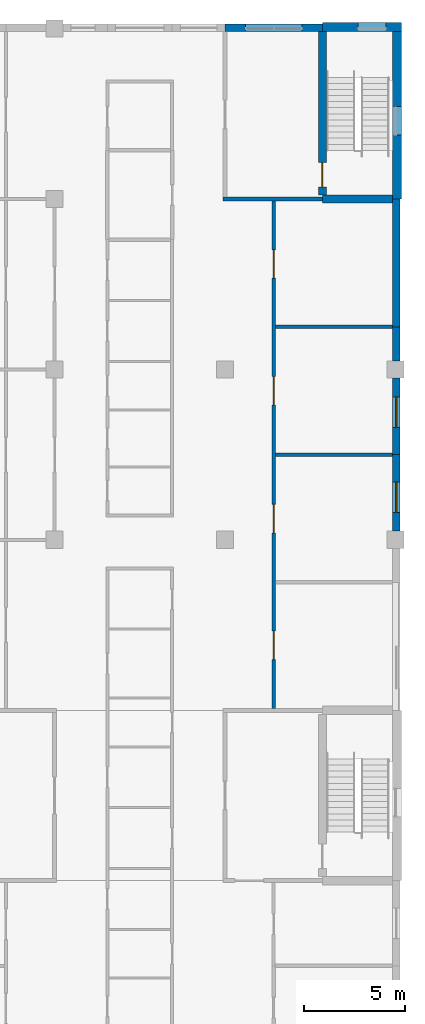
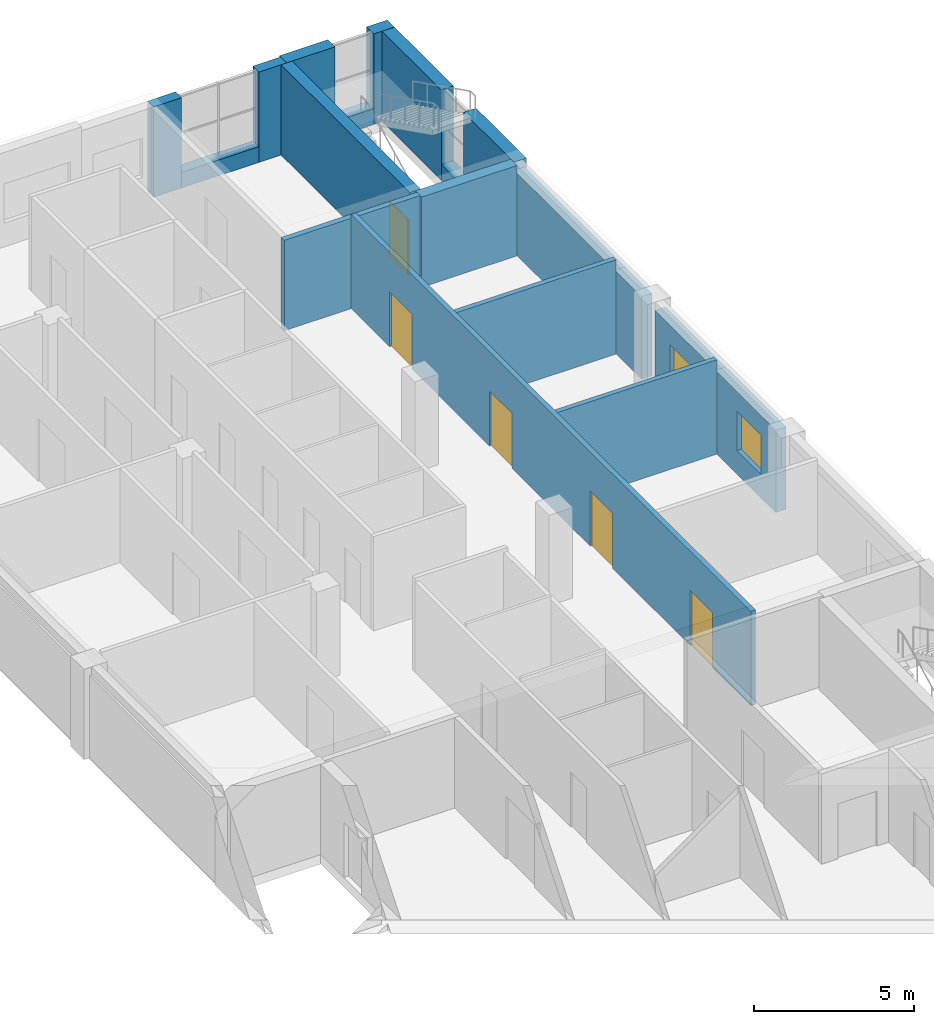
# One storey, part 78 of 94: 19 walls, 5 doors, 2 windows, 7 openings.
"""IFC4 building model written with IfcOpenShell, lengths in metres."""

from ifc_helpers import new_model, si_unit, direction, frame, frame_2d, origin, place, context, subcontext, project, spatial, rectangle, extrude, material, layer, layer_set, type_object, element, fill, save


model = new_model("IFC4")

# Units and contexts
model_context = context("Model", 3, precision=1e-05, world=origin(), true_north=direction((0.0, 1.0)))
body_context = subcontext(model_context, "Body", "Model", "MODEL_VIEW")
ifc_project = project(units=[si_unit("LENGTHUNIT", "METRE"), si_unit("AREAUNIT", "SQUARE_METRE"), si_unit("VOLUMEUNIT", "CUBIC_METRE"), si_unit("PLANEANGLEUNIT", "RADIAN"), si_unit("MASSUNIT", "GRAM", prefix="KILO")], contexts=[model_context])

# Site, building, storey
site_placement = place(None, origin())
site = spatial("IfcSite", under=ifc_project, at=site_placement, CompositionType="ELEMENT")
building_placement = place(site_placement, origin())
building = spatial("IfcBuilding", under=site, at=building_placement, Name="Yavir Park General Hospital", CompositionType="ELEMENT")
storey_placement = place(building_placement, frame((0.0, 0.0, 4.5)))
storey = spatial("IfcBuildingStorey", under=building, at=storey_placement, Name="L01", CompositionType="ELEMENT", Elevation=4.5)

# Walls
ifc_material_1 = material(Name="Double-leaf gypsum board acoustic partition on staggered studs")
ifc_layer_1 = layer(ifc_material_1, 0.175048828125)
ifc_layer_set_1 = layer_set([ifc_layer_1], Name="Double-leaf gypsum board acoustic partition on staggered studs")
wall_type_1 = type_object("IfcWallType", Name="Acoustic partition 175", PredefinedType="PARTITIONING", material=ifc_layer_set_1)
for number, where, z_axis, x_axis, name in (
    (1, (162.08740234375, 96.60009765625, 0.0), (0.0, 0.0, 1.0), (1.0, 0.0, 0.0), "AP175 L01-248"),
    (2, (162.08740234375, 102.89990234375, 0.0), (0.0, 0.0, 1.0), (1.0, 0.0, 0.0), "AP175 L01-257"),
):
    element("IfcWall", number, at=place(storey_placement, frame(where, z_axis=z_axis, x_axis=x_axis)), inside=storey, type_object=wall_type_1, Name=name, PredefinedType="PARTITIONING", context=body_context, shape_type="SweptSolid", body=[
        extrude(rectangle(XDim=5.7626953125, YDim=0.175048828125, at=frame_2d((2.88134765625, 0.0))), origin(), (0.0, 0.0, 1.0), 3.60009765625),
    ])

# Wall, openings, doors
wall_1_placement = place(storey_placement, frame((162.0, 84.10009765625, 0.0), z_axis=(0.0, 0.0, 1.0), x_axis=(0.0, 1.0, 0.0)))
wall_1 = element("IfcWall", 3, at=wall_1_placement, inside=storey, type_object=wall_type_1, Name="AP175 L01-505", PredefinedType="PARTITIONING", context=body_context, shape_type="SweptSolid", body=[
    extrude(rectangle(XDim=25.0, YDim=0.175048828125, at=frame_2d((12.5, 0.0))), origin(), (0.0, 0.0, 1.0), 3.60009765625),
])
opening_1_placement = place(wall_1_placement, frame((2.39990234375, 0.0, 0.0)))
opening_1 = element("IfcOpeningElement", 4, at=opening_1_placement, cuts=wall_1, Name="Opening L01.D304", PredefinedType="OPENING", context=body_context, shape_type="SweptSolid", body=[
    extrude(rectangle(XDim=1.39990234375, YDim=2.10009765625, at=frame_2d((0.699951171875, 1.050048828125))), frame((0.0, 0.097412109375, 0.0), z_axis=(0.0, -1.0, 0.0), x_axis=(1.0, 0.0, 0.0)), (0.0, 0.0, 1.0), 0.195068359375),
])
opening_2_placement = place(wall_1_placement, frame((8.64990234375, 0.0, 0.0)))
opening_2 = element("IfcOpeningElement", 5, at=opening_2_placement, cuts=wall_1, Name="Opening L01.D305", PredefinedType="OPENING", context=body_context, shape_type="SweptSolid", body=[
    extrude(rectangle(XDim=1.39990234375, YDim=2.10009765625, at=frame_2d((0.699951171875, 1.050048828125))), frame((0.0, 0.097412109375, 0.0), z_axis=(0.0, -1.0, 0.0), x_axis=(1.0, 0.0, 0.0)), (0.0, 0.0, 1.0), 0.195068359375),
])
opening_3_placement = place(wall_1_placement, frame((14.949951171875, 0.0, 0.0)))
opening_3 = element("IfcOpeningElement", 6, at=opening_3_placement, cuts=wall_1, Name="Opening L01.D306", PredefinedType="OPENING", context=body_context, shape_type="SweptSolid", body=[
    extrude(rectangle(XDim=1.39990234375, YDim=2.10009765625, at=frame_2d((0.699951171875, 1.050048828125))), frame((0.0, 0.097412109375, 0.0), z_axis=(0.0, -1.0, 0.0), x_axis=(1.0, 0.0, 0.0)), (0.0, 0.0, 1.0), 0.195068359375),
])
opening_4_placement = place(wall_1_placement, frame((21.199951171875, 0.0, 0.0)))
opening_4 = element("IfcOpeningElement", 7, at=opening_4_placement, cuts=wall_1, Name="Opening L01.D307", PredefinedType="OPENING", context=body_context, shape_type="SweptSolid", body=[
    extrude(rectangle(XDim=1.39990234375, YDim=2.10009765625, at=frame_2d((0.699951171875, 1.050048828125))), frame((0.0, 0.097412109375, 0.0), z_axis=(0.0, -1.0, 0.0), x_axis=(1.0, 0.0, 0.0)), (0.0, 0.0, 1.0), 0.195068359375),
])
ifc_material_2 = material(Name="Hollow metal frame, solid-core timber leaf", Category="wood")
door_type_1 = type_object("IfcDoorType", Name="Double swing door 1400 x 2100", OperationType="DOUBLE_DOOR_SINGLE_SWING", PredefinedType="DOOR", material=ifc_material_2)
door_1_placement = place(opening_1_placement, origin())
door_1 = element("IfcDoor", 8, at=door_1_placement, inside=storey, type_object=door_type_1, Name="L01.D304", OperationType="SINGLE_SWING_RIGHT", OverallHeight=2.10009765625, OverallWidth=1.39990234375, PredefinedType="DOOR", context=body_context, shape_type="SweptSolid", body=[
    extrude(rectangle(XDim=1.39990234375, YDim=2.10009765625, at=frame_2d((0.699951171875, 1.050048828125))), frame((0.0, 0.02490234375, 0.0), z_axis=(0.0, -1.0, 0.0), x_axis=(1.0, 0.0, 0.0)), (0.0, 0.0, 1.0), 0.050048828125),
])
fill(opening_1, door_1)
door_2_placement = place(opening_2_placement, origin())
door_2 = element("IfcDoor", 9, at=door_2_placement, inside=storey, type_object=door_type_1, Name="L01.D305", OperationType="SINGLE_SWING_RIGHT", OverallHeight=2.10009765625, OverallWidth=1.39990234375, PredefinedType="DOOR", context=body_context, shape_type="SweptSolid", body=[
    extrude(rectangle(XDim=1.39990234375, YDim=2.10009765625, at=frame_2d((0.699951171875, 1.050048828125))), frame((0.0, 0.02490234375, 0.0), z_axis=(0.0, -1.0, 0.0), x_axis=(1.0, 0.0, 0.0)), (0.0, 0.0, 1.0), 0.050048828125),
])
fill(opening_2, door_2)
door_3_placement = place(opening_3_placement, origin())
door_3 = element("IfcDoor", 10, at=door_3_placement, inside=storey, type_object=door_type_1, Name="L01.D306", OperationType="SINGLE_SWING_RIGHT", OverallHeight=2.10009765625, OverallWidth=1.39990234375, PredefinedType="DOOR", context=body_context, shape_type="SweptSolid", body=[
    extrude(rectangle(XDim=1.39990234375, YDim=2.10009765625, at=frame_2d((0.699951171875, 1.050048828125))), frame((0.0, 0.02490234375, 0.0), z_axis=(0.0, -1.0, 0.0), x_axis=(1.0, 0.0, 0.0)), (0.0, 0.0, 1.0), 0.050048828125),
])
fill(opening_3, door_3)
door_4_placement = place(opening_4_placement, origin())
door_4 = element("IfcDoor", 11, at=door_4_placement, inside=storey, type_object=door_type_1, Name="L01.D307", OperationType="SINGLE_SWING_LEFT", OverallHeight=2.10009765625, OverallWidth=1.39990234375, PredefinedType="DOOR", context=body_context, shape_type="SweptSolid", body=[
    extrude(rectangle(XDim=1.39990234375, YDim=2.10009765625, at=frame_2d((0.699951171875, 1.050048828125))), frame((0.0, 0.02490234375, 0.0), z_axis=(0.0, -1.0, 0.0), x_axis=(1.0, 0.0, 0.0)), (0.0, 0.0, 1.0), 0.050048828125),
])
fill(opening_4, door_4)

# Walls
ifc_material_3 = material(Name="Double gypsum board fire partition on steel studs", Category="steel")
ifc_layer_2 = layer(ifc_material_3, 0.199951171875)
ifc_layer_set_2 = layer_set([ifc_layer_2], Name="Double gypsum board fire partition on steel studs")
wall_type_2 = type_object("IfcWallType", Name="Fire-rated partition 200, EI 60", PredefinedType="PARTITIONING", material=ifc_layer_set_2)
wall_2_placement = place(storey_placement, frame((159.5, 109.199951171875, 0.0), z_axis=(0.0, 0.0, 1.0), x_axis=(1.0, 0.0, 0.0)))
element("IfcWall", 12, at=wall_2_placement, inside=storey, type_object=wall_type_2, Name="FP20 L01-267", PredefinedType="PARTITIONING", context=body_context, shape_type="SweptSolid", body=[
    extrude(rectangle(XDim=4.89990234375, YDim=0.199951171875, at=frame_2d((2.449951171875, 0.0))), origin(), (0.0, 0.0, 1.0), 3.449951171875),
])
ifc_material_4 = material(Name="Autoclaved aerated block, 150 mm mineral wool and sand-coloured mineral render")
ifc_layer_3 = layer(ifc_material_4, 0.375)
ifc_layer_set_3 = layer_set([ifc_layer_3], Name="Autoclaved aerated block, 150 mm mineral wool and sand-coloured mineral render")
wall_type_3 = type_object("IfcWallType", Name="Mineral render clinical wall 375, E 30", PredefinedType="SOLIDWALL", material=ifc_layer_set_3)
for number, where, z_axis, x_axis, name in (
    (13, (159.60009765625, 117.637451171875, 0.0), (0.0, 0.0, 1.0), (1.0, 0.0, 0.0), "XW1 L01-128"),
    (14, (163.39990234375, 117.637451171875, 0.0), (0.0, 0.0, 1.0), (1.0, 0.0, 0.0), "XW1 L01-129"),
):
    element("IfcWall", number, at=place(storey_placement, frame(where, z_axis=z_axis, x_axis=x_axis)), inside=storey, type_object=wall_type_3, Name=name, PredefinedType="SOLIDWALL", context=body_context, shape_type="SweptSolid", body=[
        extrude(rectangle(XDim=1.0, YDim=0.375, at=frame_2d((0.5, 0.0))), origin(), (0.0, 0.0, 1.0), 3.449951171875),
    ])
wall_3_placement = place(storey_placement, frame((160.60009765625, 117.637451171875, 0.0), z_axis=(0.0, 0.0, 1.0), x_axis=(1.0, 0.0, 0.0)))
element("IfcWall", 15, at=wall_3_placement, inside=storey, type_object=wall_type_3, Name="XW1 L01-130", PredefinedType="SOLIDWALL", context=body_context, shape_type="SweptSolid", body=[
    extrude(rectangle(XDim=2.7998046875, YDim=0.375, at=frame_2d((1.39990234375, 0.0))), origin(), (0.0, 0.0, 1.0), 0.60009765625),
])

# Wall, opening, window
wall_4_placement = place(storey_placement, frame((168.03759765625, 92.824951171875, 0.0), z_axis=(0.0, 0.0, 1.0), x_axis=(0.0, 1.0, 0.0)))
wall_4 = element("IfcWall", 16, at=wall_4_placement, inside=storey, type_object=wall_type_3, Name="XW1 L01-233", PredefinedType="SOLIDWALL", context=body_context, shape_type="SweptSolid", body=[
    extrude(rectangle(XDim=3.775146484375, YDim=0.375, at=frame_2d((1.8876953125, 0.0))), origin(), (0.0, 0.0, 1.0), 3.14990234375),
])
opening_5_placement = place(wall_4_placement, frame((0.925048828125, 0.0, 0.89990234375)))
opening_5 = element("IfcOpeningElement", 17, at=opening_5_placement, cuts=wall_4, Name="Opening WC", PredefinedType="OPENING", context=body_context, shape_type="SweptSolid", body=[
    extrude(rectangle(XDim=1.5, YDim=1.5, at=frame_2d((0.75, 0.75))), frame((0.0, 0.197509765625, 0.0), z_axis=(0.0, -1.0, 0.0), x_axis=(1.0, 0.0, 0.0)), (0.0, 0.0, 1.0), 0.39501953125),
])
ifc_material_5 = material(Name="Aluminium frame, double glazed unit", Category="aluminium")
window_type = type_object("IfcWindowType", Name="Consulting room window 1500 x 1500", PartitioningType="SINGLE_PANEL", PredefinedType="WINDOW", material=ifc_material_5)
window_1_placement = place(opening_5_placement, origin())
window_1 = element("IfcWindow", 18, at=window_1_placement, inside=storey, type_object=window_type, Name="WC L01-122", OverallHeight=1.5, OverallWidth=1.5, PartitioningType="SINGLE_PANEL", PredefinedType="WINDOW", context=body_context, shape_type="SweptSolid", body=[
    extrude(rectangle(XDim=1.5, YDim=1.5, at=frame_2d((0.75, 0.75))), frame((0.0, 0.030029296875, 0.0), z_axis=(0.0, -1.0, 0.0), x_axis=(1.0, 0.0, 0.0)), (0.0, 0.0, 1.0), 0.06005859375),
])
fill(opening_5, window_1)

wall_5_placement = place(storey_placement, frame((168.03759765625, 96.60009765625, 0.0), z_axis=(0.0, 0.0, 1.0), x_axis=(0.0, 1.0, 0.0)))
wall_5 = element("IfcWall", 19, at=wall_5_placement, inside=storey, type_object=wall_type_3, Name="XW1 L01-234", PredefinedType="SOLIDWALL", context=body_context, shape_type="SweptSolid", body=[
    extrude(rectangle(XDim=3.77490234375, YDim=0.375, at=frame_2d((1.887451171875, 0.0))), origin(), (0.0, 0.0, 1.0), 3.14990234375),
])
opening_6_placement = place(wall_5_placement, frame((1.35009765625, 0.0, 0.89990234375)))
opening_6 = element("IfcOpeningElement", 20, at=opening_6_placement, cuts=wall_5, Name="Opening WC", PredefinedType="OPENING", context=body_context, shape_type="SweptSolid", body=[
    extrude(rectangle(XDim=1.5, YDim=1.5, at=frame_2d((0.75, 0.75))), frame((0.0, 0.197509765625, 0.0), z_axis=(0.0, -1.0, 0.0), x_axis=(1.0, 0.0, 0.0)), (0.0, 0.0, 1.0), 0.39501953125),
])
window_2_placement = place(opening_6_placement, origin())
window_2 = element("IfcWindow", 21, at=window_2_placement, inside=storey, type_object=window_type, Name="WC L01-123", OverallHeight=1.5, OverallWidth=1.5, PartitioningType="SINGLE_PANEL", PredefinedType="WINDOW", context=body_context, shape_type="SweptSolid", body=[
    extrude(rectangle(XDim=1.5, YDim=1.5, at=frame_2d((0.75, 0.75))), frame((0.0, 0.030029296875, 0.0), z_axis=(0.0, -1.0, 0.0), x_axis=(1.0, 0.0, 0.0)), (0.0, 0.0, 1.0), 0.06005859375),
])
fill(opening_6, window_2)

# Walls
wall_6_placement = place(storey_placement, frame((168.03759765625, 101.22509765625, 0.0), z_axis=(0.0, 0.0, 1.0), x_axis=(0.0, 1.0, 0.0)))
element("IfcWall", 22, at=wall_6_placement, inside=storey, type_object=wall_type_3, Name="XW1 L01-235", PredefinedType="SOLIDWALL", context=body_context, shape_type="SweptSolid", body=[
    extrude(rectangle(XDim=1.6748046875, YDim=0.375, at=frame_2d((0.83740234375, 0.0))), origin(), (0.0, 0.0, 1.0), 3.14990234375),
])
wall_7_placement = place(storey_placement, frame((168.03759765625, 102.89990234375, 0.0), z_axis=(0.0, 0.0, 1.0), x_axis=(0.0, 1.0, 0.0)))
element("IfcWall", 23, at=wall_7_placement, inside=storey, type_object=wall_type_3, Name="XW1 L01-236", PredefinedType="SOLIDWALL", context=body_context, shape_type="SweptSolid", body=[
    extrude(rectangle(XDim=6.300048828125, YDim=0.375, at=frame_2d((3.14990234375, 0.0))), origin(), (0.0, 0.0, 1.0), 3.14990234375),
])
ifc_material_6 = material(Name="Concrete C35/45", Category="concrete")
ifc_layer_4 = layer(ifc_material_6, 0.39990234375)
ifc_layer_set_4 = layer_set([ifc_layer_4], Name="Concrete C35/45")
wall_type_4 = type_object("IfcWallType", Name="Reinforced concrete core wall 400, REI 150", PredefinedType="SHEAR", material=ifc_layer_set_4)
wall_8_placement = place(storey_placement, frame((164.39990234375, 109.199951171875, 0.0), z_axis=(0.0, 0.0, 1.0), x_axis=(1.0, 0.0, 0.0)))
element("IfcWall", 24, at=wall_8_placement, inside=storey, type_object=wall_type_4, Name="CW40 L01-268", PredefinedType="SHEAR", context=body_context, shape_type="SweptSolid", body=[
    extrude(rectangle(XDim=3.4501953125, YDim=0.39990234375, at=frame_2d((1.72509765625, 0.0))), origin(), (0.0, 0.0, 1.0), 3.449951171875),
])

# Wall, opening, door
wall_9_placement = place(storey_placement, frame((164.39990234375, 109.39990234375, 0.0), z_axis=(0.0, 0.0, 1.0), x_axis=(0.0, 1.0, 0.0)))
wall_9 = element("IfcWall", 25, at=wall_9_placement, inside=storey, type_object=wall_type_4, Name="CW40 L01-509", PredefinedType="SHEAR", context=body_context, shape_type="SweptSolid", body=[
    extrude(rectangle(XDim=8.050048828125, YDim=0.39990234375, at=frame_2d((4.02490234375, 0.0))), origin(), (0.0, 0.0, 1.0), 3.449951171875),
])
opening_7_placement = place(wall_9_placement, frame((0.39990234375, 0.0, 0.0)))
opening_7 = element("IfcOpeningElement", 26, at=opening_7_placement, cuts=wall_9, Name="Opening L01.D311", PredefinedType="OPENING", context=body_context, shape_type="SweptSolid", body=[
    extrude(rectangle(XDim=1.199951171875, YDim=2.10009765625, at=frame_2d((0.60009765625, 1.050048828125))), frame((0.0, 0.2099609375, 0.0), z_axis=(0.0, -1.0, 0.0), x_axis=(1.0, 0.0, 0.0)), (0.0, 0.0, 1.0), 0.419921875),
])
ifc_material_7 = material(Name="Steel frame, fire-resisting timber leaf", Category="steel")
door_type_2 = type_object("IfcDoorType", Name="Fire door 1200 x 2100, EI 60", OperationType="SINGLE_SWING_LEFT", PredefinedType="DOOR", material=ifc_material_7)
door_5_placement = place(opening_7_placement, origin())
door_5 = element("IfcDoor", 27, at=door_5_placement, inside=storey, type_object=door_type_2, Name="L01.D311", OperationType="SINGLE_SWING_LEFT", OverallHeight=2.10009765625, OverallWidth=1.199951171875, PredefinedType="DOOR", context=body_context, shape_type="SweptSolid", body=[
    extrude(rectangle(XDim=1.199951171875, YDim=2.10009765625, at=frame_2d((0.60009765625, 1.050048828125))), frame((0.0, 0.02490234375, 0.0), z_axis=(0.0, -1.0, 0.0), x_axis=(1.0, 0.0, 0.0)), (0.0, 0.0, 1.0), 0.050048828125),
])
fill(opening_7, door_5)

# Walls
ifc_material_8 = material(Name="Concrete C30/37 precast panel with 150 mm mineral wool insulation", Category="concrete")
ifc_layer_5 = layer(ifc_material_8, 0.449951171875)
ifc_layer_set_5 = layer_set([ifc_layer_5], Name="Concrete C30/37 precast panel with 150 mm mineral wool insulation")
wall_type_5 = type_object("IfcWallType", Name="Stair enclosure wall 450, REI 150", PredefinedType="SOLIDWALL", material=ifc_layer_set_5)
wall_10_placement = place(storey_placement, frame((164.39990234375, 117.675048828125, 0.0), z_axis=(0.0, 0.0, 1.0), x_axis=(1.0, 0.0, 0.0)))
element("IfcWall", 28, at=wall_10_placement, inside=storey, type_object=wall_type_5, Name="XW6 L01-131", PredefinedType="SOLIDWALL", context=body_context, shape_type="SweptSolid", body=[
    extrude(rectangle(XDim=1.75, YDim=0.449951171875, at=frame_2d((0.875, 0.0))), origin(), (0.0, 0.0, 1.0), 3.449951171875),
])
wall_11_placement = place(storey_placement, frame((167.550048828125, 117.675048828125, 0.0), z_axis=(0.0, 0.0, 1.0), x_axis=(1.0, 0.0, 0.0)))
element("IfcWall", 29, at=wall_11_placement, inside=storey, type_object=wall_type_5, Name="XW6 L01-132", PredefinedType="SOLIDWALL", context=body_context, shape_type="SweptSolid", body=[
    extrude(rectangle(XDim=0.75, YDim=0.449951171875, at=frame_2d((0.375, 0.0))), origin(), (0.0, 0.0, 1.0), 3.449951171875),
])
wall_12_placement = place(storey_placement, frame((166.14990234375, 117.675048828125, 0.0), z_axis=(0.0, 0.0, 1.0), x_axis=(1.0, 0.0, 0.0)))
element("IfcWall", 30, at=wall_12_placement, inside=storey, type_object=wall_type_5, Name="XW6 L01-133", PredefinedType="SOLIDWALL", context=body_context, shape_type="SweptSolid", body=[
    extrude(rectangle(XDim=1.400146484375, YDim=0.449951171875, at=frame_2d((0.7001953125, 0.0))), origin(), (0.0, 0.0, 1.0), 0.60009765625),
])
wall_13_placement = place(storey_placement, frame((168.074951171875, 109.199951171875, 0.0), z_axis=(0.0, 0.0, 1.0), x_axis=(0.0, 1.0, 0.0)))
element("IfcWall", 31, at=wall_13_placement, inside=storey, type_object=wall_type_5, Name="XW6 L01-237", PredefinedType="SOLIDWALL", context=body_context, shape_type="SweptSolid", body=[
    extrude(rectangle(XDim=3.150146484375, YDim=0.449951171875, at=frame_2d((1.5751953125, 0.0))), origin(), (0.0, 0.0, 1.0), 3.449951171875),
])
wall_14_placement = place(storey_placement, frame((168.074951171875, 113.75, 0.0), z_axis=(0.0, 0.0, 1.0), x_axis=(0.0, 1.0, 0.0)))
element("IfcWall", 32, at=wall_14_placement, inside=storey, type_object=wall_type_5, Name="XW6 L01-238", PredefinedType="SOLIDWALL", context=body_context, shape_type="SweptSolid", body=[
    extrude(rectangle(XDim=3.699951171875, YDim=0.449951171875, at=frame_2d((1.85009765625, 0.0))), origin(), (0.0, 0.0, 1.0), 3.449951171875),
])
wall_15_placement = place(storey_placement, frame((168.074951171875, 112.35009765625, 0.0), z_axis=(0.0, 0.0, 1.0), x_axis=(0.0, 1.0, 0.0)))
element("IfcWall", 33, at=wall_15_placement, inside=storey, type_object=wall_type_5, Name="XW6 L01-239", PredefinedType="SOLIDWALL", context=body_context, shape_type="SweptSolid", body=[
    extrude(rectangle(XDim=1.39990234375, YDim=0.449951171875, at=frame_2d((0.699951171875, 0.0))), origin(), (0.0, 0.0, 1.0), 0.60009765625),
])

save(model, "model.ifc")
